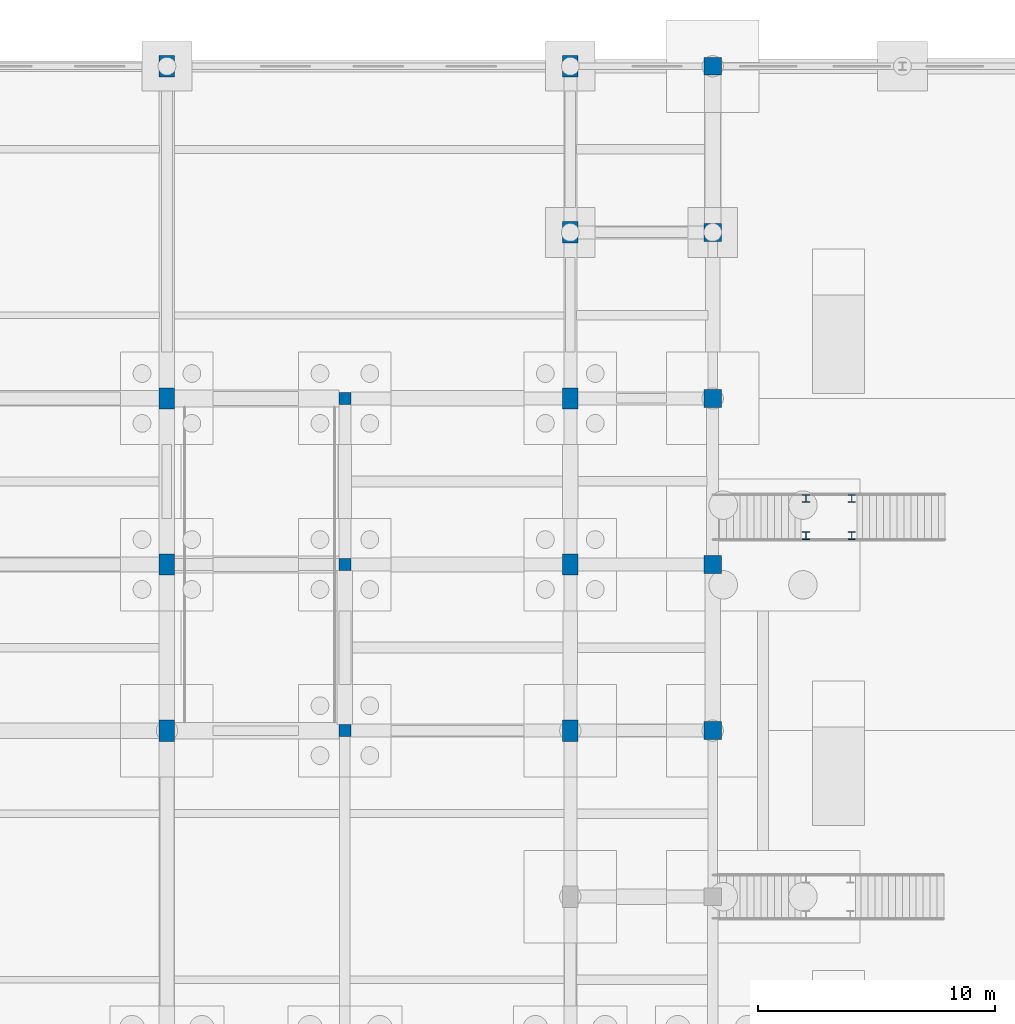
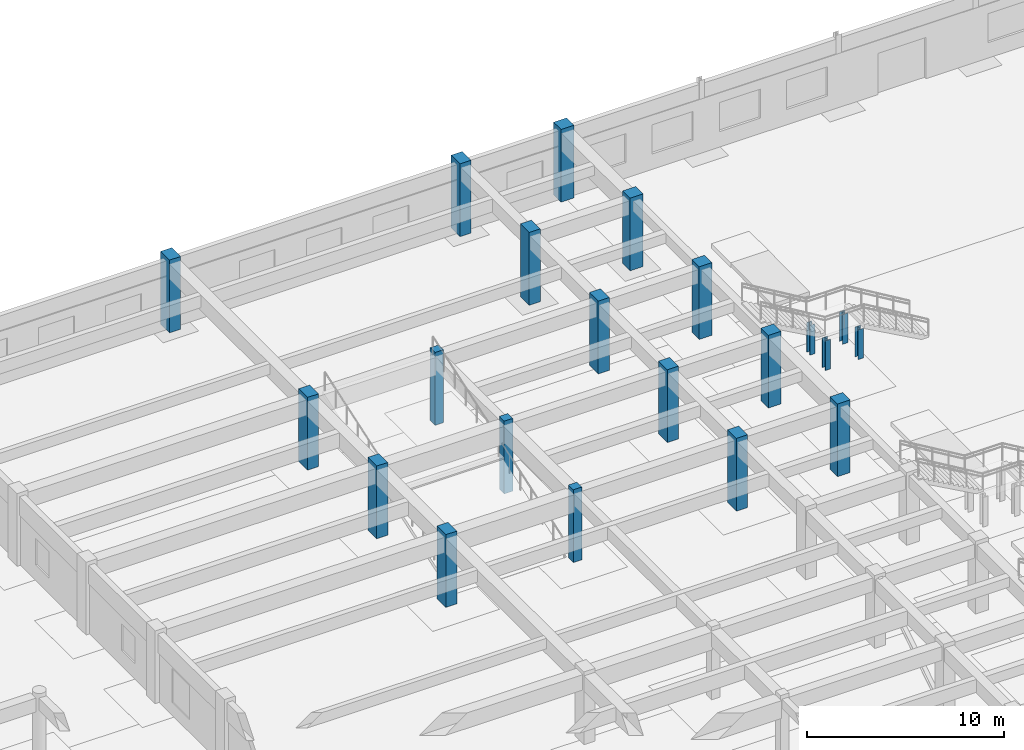
# One storey, part 20 of 84: 21 columns.
"""IFC4 building model written with IfcOpenShell, lengths in metres."""

from ifc_helpers import new_model, si_unit, direction, frame, origin, origin_2d, place, context, subcontext, project, spatial, rectangle, i_section, extrude, material, material_profile, profile_set, type_object, element, save


model = new_model("IFC4")

# Units and contexts
model_context = context("Model", 3, precision=1e-05, world=origin(), true_north=direction((0.0, 1.0)))
body_context = subcontext(model_context, "Body", "Model", "MODEL_VIEW")
ifc_project = project(units=[si_unit("LENGTHUNIT", "METRE"), si_unit("AREAUNIT", "SQUARE_METRE"), si_unit("VOLUMEUNIT", "CUBIC_METRE"), si_unit("PLANEANGLEUNIT", "RADIAN"), si_unit("MASSUNIT", "GRAM", prefix="KILO")], contexts=[model_context])

# Site, building, storey
site_placement = place(None, origin())
site = spatial("IfcSite", under=ifc_project, at=site_placement, CompositionType="ELEMENT")
building_placement = place(site_placement, origin())
building = spatial("IfcBuilding", under=site, at=building_placement, Name="Larkveld Mobility Hub", CompositionType="ELEMENT")
storey_placement = place(building_placement, origin())
storey = spatial("IfcBuildingStorey", under=building, at=storey_placement, Name="L00", CompositionType="ELEMENT", Elevation=0.0)

# Columns
ifc_material_1 = material(Name="Precast concrete C50/60", Category="concrete")
ifc_material_profile_1 = material_profile(ifc_material_1, rectangle(XDim=0.64990234375, YDim=0.89990234375, at=origin_2d()), Name="RC COL 650x900")
ifc_profile_set_1 = profile_set([ifc_material_profile_1], Name="Precast concrete C50/60")
column_type_1 = type_object("IfcColumnType", Name="CL-PC6590", PredefinedType="COLUMN", material=ifc_profile_set_1)
for number, where, z_axis, x_axis, name in (
    (1, (129.0, 98.0, 0.0), (0.0, 0.0, 1.0), (1.0, 0.0, 0.0), "Column EV-X129-Y98 (L00)"),
    (2, (129.0, 105.0, 0.0), (0.0, 0.0, 1.0), (1.0, 0.0, 0.0), "Column EV-X129-Y105 (L00)"),
    (3, (129.0, 112.0, 0.0), (0.0, 0.0, 1.0), (1.0, 0.0, 0.0), "Column EV-X129-Y112 (L00)"),
    (4, (129.0, 126.0, 0.0), (0.0, 0.0, 1.0), (1.0, 0.0, 0.0), "Column EV-X129-Y126 (L00)"),
    (5, (146.0, 98.0, 0.0), (0.0, 0.0, 1.0), (1.0, 0.0, 0.0), "Column EV-X146-Y98 (L00)"),
    (6, (146.0, 105.0, 0.0), (0.0, 0.0, 1.0), (1.0, 0.0, 0.0), "Column EV-X146-Y105 (L00)"),
    (7, (146.0, 112.0, 0.0), (0.0, 0.0, 1.0), (1.0, 0.0, 0.0), "Column EV-X146-Y112 (L00)"),
    (8, (146.0, 119.0, 0.0), (0.0, 0.0, 1.0), (1.0, 0.0, 0.0), "Column EV-X146-Y119 (L00)"),
    (9, (146.0, 126.0, 0.0), (0.0, 0.0, 1.0), (1.0, 0.0, 0.0), "Column EV-X146-Y126 (L00)"),
):
    element("IfcColumn", number, at=place(storey_placement, frame(where, z_axis=z_axis, x_axis=x_axis)), inside=storey, type_object=column_type_1, Name=name, PredefinedType="COLUMN", context=body_context, shape_type="SweptSolid", body=[
        extrude(rectangle(XDim=0.64990234375, YDim=0.89990234375, at=origin_2d()), origin(), (0.0, 0.0, 1.0), 4.5),
    ])
ifc_material_2 = material(Name="Concrete C40/50", Category="concrete")
ifc_material_profile_2 = material_profile(ifc_material_2, rectangle(XDim=0.5, YDim=0.5, at=origin_2d()), Name="RC COL 500x500")
ifc_profile_set_2 = profile_set([ifc_material_profile_2], Name="Concrete C40/50")
column_type_2 = type_object("IfcColumnType", Name="CL-RC500", PredefinedType="COLUMN", material=ifc_profile_set_2)
for number, where, z_axis, x_axis, name in (
    (10, (136.5, 98.0, 0.0), (0.0, 0.0, 1.0), (1.0, 0.0, 0.0), "Column EVRMP-X1365-Y98 (L00)"),
    (11, (136.5, 105.0, 0.0), (0.0, 0.0, 1.0), (1.0, 0.0, 0.0), "Column EVRMP-X1365-Y105 (L00)"),
    (12, (136.5, 112.0, 0.0), (0.0, 0.0, 1.0), (1.0, 0.0, 0.0), "Column EVRMP-X1365-Y112 (L00)"),
):
    element("IfcColumn", number, at=place(storey_placement, frame(where, z_axis=z_axis, x_axis=x_axis)), inside=storey, type_object=column_type_2, Name=name, PredefinedType="COLUMN", context=body_context, shape_type="SweptSolid", body=[
        extrude(rectangle(XDim=0.5, YDim=0.5, at=origin_2d()), origin(), (0.0, 0.0, 1.0), 4.5),
    ])
ifc_material_profile_3 = material_profile(ifc_material_2, rectangle(XDim=0.75, YDim=0.75, at=origin_2d()), Name="RC COL 750x750")
ifc_profile_set_3 = profile_set([ifc_material_profile_3], Name="Concrete C40/50")
column_type_3 = type_object("IfcColumnType", Name="CL-RC750", PredefinedType="COLUMN", material=ifc_profile_set_3)
for number, where, z_axis, x_axis, name in (
    (13, (152.0, 98.0, 0.0), (0.0, 0.0, 1.0), (1.0, 0.0, 0.0), "Column EV-X152-Y98 (L00)"),
    (14, (152.0, 105.0, 0.0), (0.0, 0.0, 1.0), (1.0, 0.0, 0.0), "Column EV-X152-Y105 (L00)"),
    (15, (152.0, 112.0, 0.0), (0.0, 0.0, 1.0), (1.0, 0.0, 0.0), "Column EV-X152-Y112 (L00)"),
    (16, (152.0, 119.0, 0.0), (0.0, 0.0, 1.0), (1.0, 0.0, 0.0), "Column EV-X152-Y119 (L00)"),
    (17, (152.0, 126.0, 0.0), (0.0, 0.0, 1.0), (1.0, 0.0, 0.0), "Column EV-X152-Y126 (L00)"),
):
    element("IfcColumn", number, at=place(storey_placement, frame(where, z_axis=z_axis, x_axis=x_axis)), inside=storey, type_object=column_type_3, Name=name, PredefinedType="COLUMN", context=body_context, shape_type="SweptSolid", body=[
        extrude(rectangle(XDim=0.75, YDim=0.75, at=origin_2d()), origin(), (0.0, 0.0, 1.0), 4.5),
    ])
ifc_material_3 = material(Name="Steel S355JR", Category="steel")
ifc_material_profile_4 = material_profile(ifc_material_3, i_section(OverallWidth=0.30908203125, OverallDepth=0.320556640625, WebThickness=0.013916015625, FlangeThickness=0.021728515625, FilletRadius=0.01513671875, at=origin_2d()), Name="UC 305x305x137")
ifc_profile_set_4 = profile_set([ifc_material_profile_4], Name="Steel S355JR")
column_type_4 = type_object("IfcColumnType", Name="CL-STUC305", PredefinedType="COLUMN", material=ifc_profile_set_4)
for number, where, z_axis, x_axis, name in (
    (18, (157.860107421875, 107.784912109375, 0.0), (0.0, 0.0, 1.0), (1.0, 0.0, 0.0), "Taxi Concourse North Straight Stair FS6 Mid-Landing Support Post 1"),
    (19, (155.93994140625, 107.784912109375, 0.0), (0.0, 0.0, 1.0), (1.0, 0.0, 0.0), "Taxi Concourse North Straight Stair FS6 Mid-Landing Support Post 2"),
    (20, (155.93994140625, 106.215087890625, 0.0), (0.0, 0.0, 1.0), (1.0, 0.0, 0.0), "Taxi Concourse North Straight Stair FS6 Mid-Landing Support Post 3"),
    (21, (157.860107421875, 106.215087890625, 0.0), (0.0, 0.0, 1.0), (1.0, 0.0, 0.0), "Taxi Concourse North Straight Stair FS6 Mid-Landing Support Post 4"),
):
    element("IfcColumn", number, at=place(storey_placement, frame(where, z_axis=z_axis, x_axis=x_axis)), inside=storey, type_object=column_type_4, Name=name, PredefinedType="COLUMN", context=body_context, shape_type="SweptSolid", body=[
        extrude(i_section(OverallWidth=0.30908203125, OverallDepth=0.320556640625, WebThickness=0.013916015625, FlangeThickness=0.021728515625, FilletRadius=0.01513671875, at=origin_2d()), origin(), (0.0, 0.0, 1.0), 1.8349609375),
    ])

save(model, "model.ifc")
